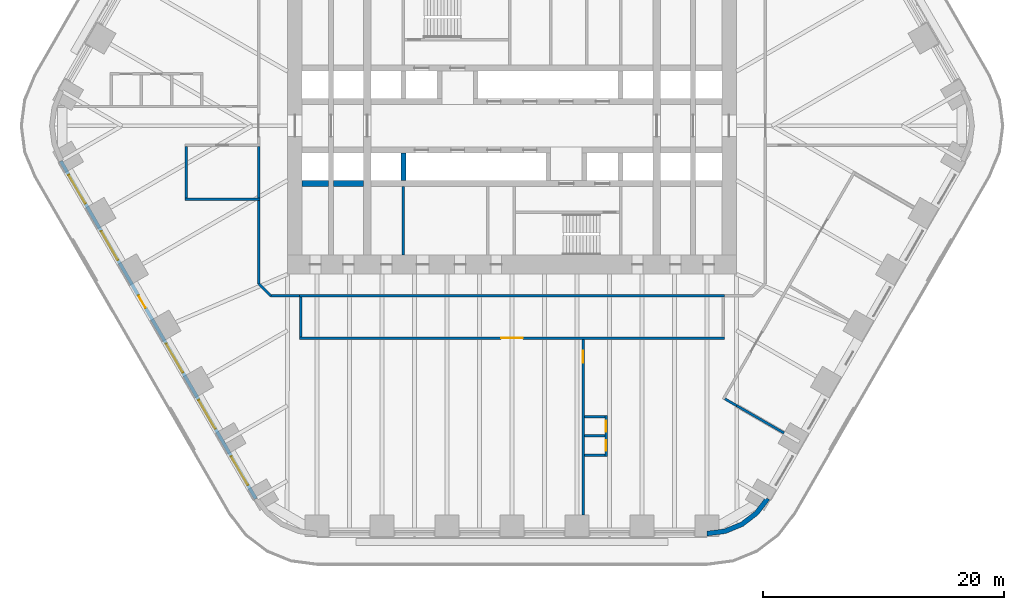
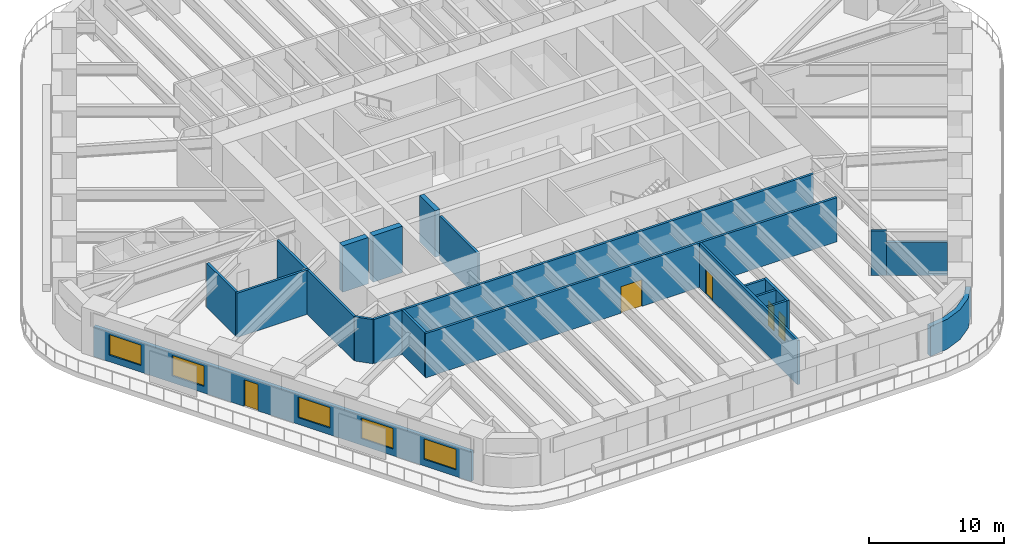
# One storey, part 16 of 23: 22 walls, 5 doors, 5 windows, 10 openings.
"""IFC4 building model written with IfcOpenShell, lengths in metres."""

from ifc_helpers import new_model, si_unit, direction, frame, frame_2d, origin, place, context, subcontext, project, spatial, polyline, rectangle, outline, extrude, material, layer, layer_set, type_object, element, fill, save


model = new_model("IFC4")

# Units and contexts
model_context = context("Model", 3, precision=1e-05, world=origin(), true_north=direction((0.0, 1.0)))
body_context = subcontext(model_context, "Body", "Model", "MODEL_VIEW")
ifc_project = project(units=[si_unit("LENGTHUNIT", "METRE"), si_unit("AREAUNIT", "SQUARE_METRE"), si_unit("VOLUMEUNIT", "CUBIC_METRE"), si_unit("PLANEANGLEUNIT", "RADIAN"), si_unit("MASSUNIT", "GRAM", prefix="KILO")], contexts=[model_context])

# Site, building, storey
site_placement = place(None, origin())
site = spatial("IfcSite", under=ifc_project, at=site_placement, CompositionType="ELEMENT")
building_placement = place(site_placement, origin())
building = spatial("IfcBuilding", under=site, at=building_placement, Name="Tarfa Lantern Tower", CompositionType="ELEMENT")
storey_placement = place(building_placement, frame((0.0, 0.0, 61.300048828125)))
storey = spatial("IfcBuildingStorey", under=building, at=storey_placement, Name="L13", CompositionType="ELEMENT", Elevation=61.300048828125)

# Wall, openings, door, windows
ifc_material_1 = material(Name="Limestone cladding on blockwork", Category="masonry")
ifc_layer_1 = layer(ifc_material_1, 0.300048828125)
ifc_layer_set_1 = layer_set([ifc_layer_1], Name="EW1 STONE-CLAD WALL 300")
wall_type_1 = type_object("IfcWallType", Name="EW1 STONE-CLAD WALL 300", PredefinedType="SOLIDWALL", material=ifc_layer_set_1)
wall_1_placement = place(storey_placement, frame((-37.39794921875, -2.925048828125, 0.0), z_axis=(0.0, 0.0, 1.0), x_axis=(0.499999163675, -0.866025886636, 0.0)))
wall_1 = element("IfcWall", 1, at=wall_1_placement, inside=storey, type_object=wall_type_1, Name="Stone wall SW", PredefinedType="SOLIDWALL", context=body_context, shape_type="SweptSolid", body=[
    extrude(rectangle(XDim=32.33154296875, YDim=0.300048828125, at=frame_2d((16.165771484375, 0.0))), origin(), (0.0, 0.0, 1.0), 2.699951171875),
])
opening_1_placement = place(wall_1_placement, frame((1.3193359375, 0.0, 0.60009765625)))
opening_1 = element("IfcOpeningElement", 2, at=opening_1_placement, cuts=wall_1, Name="Opening W2", PredefinedType="OPENING", context=body_context, shape_type="SweptSolid", body=[
    extrude(rectangle(XDim=2.75, YDim=1.85009765625, at=frame_2d((1.375, 0.925048828125))), frame((0.0, 0.159912109375, 0.0), z_axis=(0.0, -1.0, 0.0), x_axis=(1.0, 0.0, 0.0)), (0.0, 0.0, 1.0), 0.320068359375),
])
opening_2_placement = place(wall_1_placement, frame((6.7080078125, 0.0, 0.60009765625)))
opening_2 = element("IfcOpeningElement", 3, at=opening_2_placement, cuts=wall_1, Name="Opening W2", PredefinedType="OPENING", context=body_context, shape_type="SweptSolid", body=[
    extrude(rectangle(XDim=2.75, YDim=1.85009765625, at=frame_2d((1.375, 0.925048828125))), frame((0.0, 0.159912109375, 0.0), z_axis=(0.0, -1.0, 0.0), x_axis=(1.0, 0.0, 0.0)), (0.0, 0.0, 1.0), 0.320068359375),
])
opening_3_placement = place(wall_1_placement, frame((12.87158203125, 0.0, 0.0)))
opening_3 = element("IfcOpeningElement", 4, at=opening_3_placement, cuts=wall_1, Name="Opening D51", PredefinedType="OPENING", context=body_context, shape_type="SweptSolid", body=[
    extrude(rectangle(XDim=1.199951171875, YDim=2.39990234375, at=frame_2d((0.60009765625, 1.199951171875))), frame((0.0, 0.159912109375, 0.0), z_axis=(0.0, -1.0, 0.0), x_axis=(1.0, 0.0, 0.0)), (0.0, 0.0, 1.0), 0.320068359375),
])
opening_4_placement = place(wall_1_placement, frame((17.485107421875, 0.0, 0.60009765625)))
opening_4 = element("IfcOpeningElement", 5, at=opening_4_placement, cuts=wall_1, Name="Opening W2", PredefinedType="OPENING", context=body_context, shape_type="SweptSolid", body=[
    extrude(rectangle(XDim=2.75, YDim=1.85009765625, at=frame_2d((1.375, 0.925048828125))), frame((0.0, 0.159912109375, 0.0), z_axis=(0.0, -1.0, 0.0), x_axis=(1.0, 0.0, 0.0)), (0.0, 0.0, 1.0), 0.320068359375),
])
opening_5_placement = place(wall_1_placement, frame((22.873779296875, 0.0, 0.60009765625)))
opening_5 = element("IfcOpeningElement", 6, at=opening_5_placement, cuts=wall_1, Name="Opening W2", PredefinedType="OPENING", context=body_context, shape_type="SweptSolid", body=[
    extrude(rectangle(XDim=2.75, YDim=1.85009765625, at=frame_2d((1.375, 0.925048828125))), frame((0.0, 0.159912109375, 0.0), z_axis=(0.0, -1.0, 0.0), x_axis=(1.0, 0.0, 0.0)), (0.0, 0.0, 1.0), 0.320068359375),
])
opening_6_placement = place(wall_1_placement, frame((28.26220703125, 0.0, 0.60009765625)))
opening_6 = element("IfcOpeningElement", 7, at=opening_6_placement, cuts=wall_1, Name="Opening W2", PredefinedType="OPENING", context=body_context, shape_type="SweptSolid", body=[
    extrude(rectangle(XDim=2.75, YDim=1.85009765625, at=frame_2d((1.375, 0.925048828125))), frame((0.0, 0.159912109375, 0.0), z_axis=(0.0, -1.0, 0.0), x_axis=(1.0, 0.0, 0.0)), (0.0, 0.0, 1.0), 0.320068359375),
])
ifc_material_2 = material(Name="Aluminium framed glazed door", Category="aluminium")
door_type_1 = type_object("IfcDoorType", Name="BE3 BALCONY DOOR 1200x2400", OperationType="SINGLE_SWING_RIGHT", PredefinedType="DOOR", material=ifc_material_2)
door_1_placement = place(opening_3_placement, origin())
door_1 = element("IfcDoor", 8, at=door_1_placement, inside=storey, type_object=door_type_1, Name="Balcony door SW", OperationType="SINGLE_SWING_RIGHT", OverallHeight=2.39990234375, OverallWidth=1.199951171875, PredefinedType="DOOR", context=body_context, shape_type="SweptSolid", body=[
    extrude(rectangle(XDim=1.199951171875, YDim=2.39990234375, at=frame_2d((0.60009765625, 1.199951171875))), frame((0.0, 0.02490234375, 0.0), z_axis=(0.0, -1.0, 0.0), x_axis=(1.0, 0.0, 0.0)), (0.0, 0.0, 1.0), 0.050048828125),
])
fill(opening_3, door_1)
ifc_material_3 = material(Name="Aluminium frame, double glazed", Category="aluminium")
window_type = type_object("IfcWindowType", Name="W2 FULL-HEIGHT GLAZING 2750x1850", PartitioningType="SINGLE_PANEL", PredefinedType="WINDOW", material=ifc_material_3)
window_1_placement = place(opening_1_placement, origin())
window_1 = element("IfcWindow", 9, at=window_1_placement, inside=storey, type_object=window_type, Name="Window SW 1", OverallHeight=1.85009765625, OverallWidth=2.75, PartitioningType="SINGLE_PANEL", PredefinedType="WINDOW", context=body_context, shape_type="SweptSolid", body=[
    extrude(rectangle(XDim=2.75, YDim=1.85009765625, at=frame_2d((1.375, 0.925048828125))), frame((0.0, 0.030029296875, 0.0), z_axis=(0.0, -1.0, 0.0), x_axis=(1.0, 0.0, 0.0)), (0.0, 0.0, 1.0), 0.06005859375),
])
fill(opening_1, window_1)
window_2_placement = place(opening_2_placement, origin())
window_2 = element("IfcWindow", 10, at=window_2_placement, inside=storey, type_object=window_type, Name="Window SW 2", OverallHeight=1.85009765625, OverallWidth=2.75, PartitioningType="SINGLE_PANEL", PredefinedType="WINDOW", context=body_context, shape_type="SweptSolid", body=[
    extrude(rectangle(XDim=2.75, YDim=1.85009765625, at=frame_2d((1.375, 0.925048828125))), frame((0.0, 0.030029296875, 0.0), z_axis=(0.0, -1.0, 0.0), x_axis=(1.0, 0.0, 0.0)), (0.0, 0.0, 1.0), 0.06005859375),
])
fill(opening_2, window_2)
window_3_placement = place(opening_4_placement, origin())
window_3 = element("IfcWindow", 11, at=window_3_placement, inside=storey, type_object=window_type, Name="Window SW 4", OverallHeight=1.85009765625, OverallWidth=2.75, PartitioningType="SINGLE_PANEL", PredefinedType="WINDOW", context=body_context, shape_type="SweptSolid", body=[
    extrude(rectangle(XDim=2.75, YDim=1.85009765625, at=frame_2d((1.375, 0.925048828125))), frame((0.0, 0.030029296875, 0.0), z_axis=(0.0, -1.0, 0.0), x_axis=(1.0, 0.0, 0.0)), (0.0, 0.0, 1.0), 0.06005859375),
])
fill(opening_4, window_3)
window_4_placement = place(opening_5_placement, origin())
window_4 = element("IfcWindow", 12, at=window_4_placement, inside=storey, type_object=window_type, Name="Window SW 5", OverallHeight=1.85009765625, OverallWidth=2.75, PartitioningType="SINGLE_PANEL", PredefinedType="WINDOW", context=body_context, shape_type="SweptSolid", body=[
    extrude(rectangle(XDim=2.75, YDim=1.85009765625, at=frame_2d((1.375, 0.925048828125))), frame((0.0, 0.030029296875, 0.0), z_axis=(0.0, -1.0, 0.0), x_axis=(1.0, 0.0, 0.0)), (0.0, 0.0, 1.0), 0.06005859375),
])
fill(opening_5, window_4)
window_5_placement = place(opening_6_placement, origin())
window_5 = element("IfcWindow", 13, at=window_5_placement, inside=storey, type_object=window_type, Name="Window SW 6", OverallHeight=1.85009765625, OverallWidth=2.75, PartitioningType="SINGLE_PANEL", PredefinedType="WINDOW", context=body_context, shape_type="SweptSolid", body=[
    extrude(rectangle(XDim=2.75, YDim=1.85009765625, at=frame_2d((1.375, 0.925048828125))), frame((0.0, 0.030029296875, 0.0), z_axis=(0.0, -1.0, 0.0), x_axis=(1.0, 0.0, 0.0)), (0.0, 0.0, 1.0), 0.06005859375),
])
fill(opening_6, window_5)

# Walls
ifc_layer_2 = layer(ifc_material_1, 0.39990234375)
ifc_layer_set_2 = layer_set([ifc_layer_2], Name="EW2 CURVED STONE CORNER 400")
wall_type_2 = type_object("IfcWallType", Name="EW2 CURVED STONE CORNER 400", PredefinedType="SOLIDWALL", material=ifc_layer_set_2)
wall_2_placement = place(storey_placement, origin())
element("IfcWall", 14, at=wall_2_placement, inside=storey, type_object=wall_type_2, Name="Stone corner S-SE", PredefinedType="SOLIDWALL", context=body_context, shape_type="SweptSolid", body=[
    extrude(outline(polyline([(16.165771484375, -34.0), (17.71875, -33.795654296875), (19.165771484375, -33.196044921875), (20.408447265625, -32.24267578125), (21.362060546875, -31.0), (21.015625, -30.800048828125), (20.12548828125, -31.959716796875), (18.9658203125, -32.849853515625), (17.615234375, -33.4091796875), (16.165771484375, -33.60009765625), (16.165771484375, -34.0)])), origin(), (0.0, 0.0, 1.0), 2.699951171875),
])
ifc_material_4 = material(Name="Concrete blockwork", Category="masonry")
ifc_layer_3 = layer(ifc_material_4, 0.199951171875)
ifc_layer_set_3 = layer_set([ifc_layer_3], Name="IW1 BLOCKWORK PARTITION 200 EI 120")
wall_type_3 = type_object("IfcWallType", Name="IW1 BLOCKWORK PARTITION 200 EI 120", PredefinedType="PARTITIONING", material=ifc_layer_set_3)
wall_3_placement = place(storey_placement, frame((-9.0, -5.050048828125, 0.0), z_axis=(0.0, 0.0, 1.0), x_axis=(0.0, -1.0, 0.0)))
element("IfcWall", 15, at=wall_3_placement, inside=storey, type_object=wall_type_3, Name="Core partition", PredefinedType="PARTITIONING", context=body_context, shape_type="SweptSolid", body=[
    extrude(rectangle(XDim=5.64990234375, YDim=0.199951171875, at=frame_2d((2.824951171875, 0.0))), origin(), (0.0, 0.0, 1.0), 4.0),
])
ifc_material_5 = material(Name="Gypsum board on steel studs", Category="steel")
ifc_layer_4 = layer(ifc_material_5, 0.2099609375)
ifc_layer_set_4 = layer_set([ifc_layer_4], Name="IW2 ACOUSTIC PARTITION 200")
wall_type_4 = type_object("IfcWallType", Name="IW2 ACOUSTIC PARTITION 200", PredefinedType="PARTITIONING", material=ifc_layer_set_4)
wall_4_placement = place(storey_placement, frame((17.60009765625, -14.10009765625, 0.0), z_axis=(0.0, 0.0, 1.0), x_axis=(-1.0, 0.0, 0.0)))
element("IfcWall", 16, at=wall_4_placement, inside=storey, type_object=wall_type_4, Name="Partition", PredefinedType="PARTITIONING", context=body_context, shape_type="SweptSolid", body=[
    extrude(rectangle(XDim=35.2001953125, YDim=0.199951171875, at=frame_2d((17.60009765625, 0.0))), origin(), (0.0, 0.0, 1.0), 4.0),
])

# Wall, opening, door
wall_5_placement = place(storey_placement, frame((17.60009765625, -17.60009765625, 0.0), z_axis=(0.0, 0.0, 1.0), x_axis=(-1.0, 0.0, 0.0)))
wall_5 = element("IfcWall", 17, at=wall_5_placement, inside=storey, type_object=wall_type_4, Name="Partition", PredefinedType="PARTITIONING", context=body_context, shape_type="SweptSolid", body=[
    extrude(rectangle(XDim=35.2001953125, YDim=0.199951171875, at=frame_2d((17.60009765625, 0.0))), origin(), (0.0, 0.0, 1.0), 4.0),
])
opening_7_placement = place(wall_5_placement, frame((16.699951171875, 0.0, 0.0)))
opening_7 = element("IfcOpeningElement", 18, at=opening_7_placement, cuts=wall_5, Name="Opening D38", PredefinedType="OPENING", context=body_context, shape_type="SweptSolid", body=[
    extrude(rectangle(XDim=1.800048828125, YDim=2.39990234375, at=frame_2d((0.89990234375, 1.199951171875))), frame((0.0, 0.10986328125, 0.0), z_axis=(0.0, -1.0, 0.0), x_axis=(1.0, 0.0, 0.0)), (0.0, 0.0, 1.0), 0.219970703125),
])
ifc_material_6 = material(Name="Timber door", Category="wood")
door_type_2 = type_object("IfcDoorType", Name="DR2 ROOM DOOR 1800x2400", OperationType="DOUBLE_DOOR_SINGLE_SWING", PredefinedType="DOOR", material=ifc_material_6)
door_2_placement = place(opening_7_placement, frame((1.800048828125, 0.0, 0.0), z_axis=(0.0, 0.0, 1.0), x_axis=(-1.0, 0.0, 0.0)))
door_2 = element("IfcDoor", 19, at=door_2_placement, inside=storey, type_object=door_type_2, Name="Meeting room door", OperationType="DOUBLE_DOOR_SINGLE_SWING", OverallHeight=2.39990234375, OverallWidth=1.800048828125, PredefinedType="DOOR", context=body_context, shape_type="SweptSolid", body=[
    extrude(rectangle(XDim=1.800048828125, YDim=2.39990234375, at=frame_2d((0.89990234375, 1.199951171875))), frame((0.0, 0.02490234375, 0.0), z_axis=(0.0, -1.0, 0.0), x_axis=(1.0, 0.0, 0.0)), (0.0, 0.0, 1.0), 0.050048828125),
])
fill(opening_7, door_2)

# Walls
wall_6_placement = place(storey_placement, frame((-17.5, -14.199951171875, 0.0), z_axis=(0.0, 0.0, 1.0), x_axis=(0.0, -1.0, 0.0)))
element("IfcWall", 20, at=wall_6_placement, inside=storey, type_object=wall_type_4, Name="Partition", PredefinedType="PARTITIONING", context=body_context, shape_type="SweptSolid", body=[
    extrude(rectangle(XDim=3.300048828125, YDim=0.199951171875, at=frame_2d((1.64990234375, 0.0))), origin(), (0.0, 0.0, 1.0), 4.0),
])
wall_7_placement = place(storey_placement, frame((17.647705078125, -22.63330078125, 0.0), z_axis=(0.0, 0.0, 1.0), x_axis=(0.86603400694, -0.499985098601, 0.0)))
element("IfcWall", 21, at=wall_7_placement, inside=storey, type_object=wall_type_4, Name="Partition", PredefinedType="PARTITIONING", context=body_context, shape_type="SweptSolid", body=[
    extrude(rectangle(XDim=1.12646484375, YDim=0.199951171875, at=frame_2d((0.563232421875, 0.0))), origin(), (0.0, 0.0, 1.0), 4.0),
])
wall_8_placement = place(storey_placement, frame((18.623291015625, -23.196533203125, 0.0), z_axis=(0.0, 0.0, 1.0), x_axis=(0.866029199568, -0.499993425452, 0.0)))
element("IfcWall", 22, at=wall_8_placement, inside=storey, type_object=wall_type_4, Name="Partition", PredefinedType="PARTITIONING", context=body_context, shape_type="SweptSolid", body=[
    extrude(rectangle(XDim=4.5234375, YDim=0.199951171875, at=frame_2d((2.26171875, 0.0))), origin(), (0.0, 0.0, 1.0), 2.991943359375),
])
wall_9_placement = place(storey_placement, frame((-20.89990234375, -6.10009765625, 0.0), z_axis=(0.0, 0.0, 1.0), x_axis=(-1.0, 0.0, 0.0)))
element("IfcWall", 23, at=wall_9_placement, inside=storey, type_object=wall_type_4, Name="Partition", PredefinedType="PARTITIONING", context=body_context, shape_type="SweptSolid", body=[
    extrude(rectangle(XDim=6.2001953125, YDim=0.199951171875, at=frame_2d((3.10009765625, 0.0))), origin(), (0.0, 0.0, 1.0), 4.0),
])
for number, where, z_axis, x_axis, name in (
    (24, (-21.0, -1.699951171875, 0.0), (0.0, 0.0, 1.0), (0.0, -1.0, 0.0), "Partition"),
    (25, (-27.0, -1.699951171875, 0.0), (0.0, 0.0, 1.0), (0.0, -1.0, 0.0), "Partition"),
):
    element("IfcWall", number, at=place(storey_placement, frame(where, z_axis=z_axis, x_axis=x_axis)), inside=storey, type_object=wall_type_4, Name=name, PredefinedType="PARTITIONING", context=body_context, shape_type="SweptSolid", body=[
        extrude(rectangle(XDim=4.300048828125, YDim=0.199951171875, at=frame_2d((2.14990234375, 0.0))), origin(), (0.0, 0.0, 1.0), 4.0),
    ])
wall_10_placement = place(storey_placement, frame((-17.60009765625, -14.10009765625, 0.0), z_axis=(0.0, 0.0, 1.0), x_axis=(-1.0, 0.0, 0.0)))
element("IfcWall", 26, at=wall_10_placement, inside=storey, type_object=wall_type_4, Name="Partition", PredefinedType="PARTITIONING", context=body_context, shape_type="SweptSolid", body=[
    extrude(rectangle(XDim=2.39990234375, YDim=0.199951171875, at=frame_2d((1.199951171875, 0.0))), origin(), (0.0, 0.0, 1.0), 4.0),
])
wall_11_placement = place(storey_placement, frame((-20.0, -14.10009765625, 0.0), z_axis=(0.0, 0.0, 1.0), x_axis=(-0.707106781187, 0.707106781187, 0.0)))
element("IfcWall", 27, at=wall_11_placement, inside=storey, type_object=wall_type_4, Name="Partition", PredefinedType="PARTITIONING", context=body_context, shape_type="SweptSolid", body=[
    extrude(rectangle(XDim=1.414306640625, YDim=0.199951171875, at=frame_2d((0.70703125, 0.0))), origin(), (0.0, 0.0, 1.0), 4.0),
])
wall_12_placement = place(storey_placement, frame((-21.0, -13.10009765625, 0.0), z_axis=(0.0, 0.0, 1.0), x_axis=(0.0, 1.0, 0.0)))
element("IfcWall", 28, at=wall_12_placement, inside=storey, type_object=wall_type_4, Name="Partition", PredefinedType="PARTITIONING", context=body_context, shape_type="SweptSolid", body=[
    extrude(rectangle(XDim=6.899169921875, YDim=0.199951171875, at=frame_2d((3.44970703125, 0.0))), origin(), (0.0, 0.0, 1.0), 4.0),
])

# Wall, opening, door
wall_13_placement = place(storey_placement, frame((5.89990234375, -17.699951171875, 0.0), z_axis=(0.0, 0.0, 1.0), x_axis=(0.0, -1.0, 0.0)))
wall_13 = element("IfcWall", 29, at=wall_13_placement, inside=storey, type_object=wall_type_4, Name="Partition", PredefinedType="PARTITIONING", context=body_context, shape_type="SweptSolid", body=[
    extrude(rectangle(XDim=14.550048828125, YDim=0.199951171875, at=frame_2d((7.27490234375, 0.0))), origin(), (0.0, 0.0, 1.0), 4.0),
])
opening_8_placement = place(wall_13_placement, frame((0.955078125, 0.0, 0.0)))
opening_8 = element("IfcOpeningElement", 30, at=opening_8_placement, cuts=wall_13, Name="Opening D47", PredefinedType="OPENING", context=body_context, shape_type="SweptSolid", body=[
    extrude(rectangle(XDim=1.0, YDim=2.199951171875, at=frame_2d((0.5, 1.10009765625))), frame((0.0, 0.10986328125, 0.0), z_axis=(0.0, -1.0, 0.0), x_axis=(1.0, 0.0, 0.0)), (0.0, 0.0, 1.0), 0.219970703125),
])
door_type_3 = type_object("IfcDoorType", Name="DR1 ROOM DOOR 1000x2200", OperationType="SINGLE_SWING_LEFT", PredefinedType="DOOR", material=ifc_material_6)
door_3_placement = place(opening_8_placement, origin())
door_3 = element("IfcDoor", 31, at=door_3_placement, inside=storey, type_object=door_type_3, Name="Zone door", OperationType="SINGLE_SWING_RIGHT", OverallHeight=2.199951171875, OverallWidth=1.0, PredefinedType="DOOR", context=body_context, shape_type="SweptSolid", body=[
    extrude(rectangle(XDim=1.0, YDim=2.199951171875, at=frame_2d((0.5, 1.10009765625))), frame((0.0, 0.02490234375, 0.0), z_axis=(0.0, -1.0, 0.0), x_axis=(1.0, 0.0, 0.0)), (0.0, 0.0, 1.0), 0.050048828125),
])
fill(opening_8, door_3)

# Wall, openings, doors
wall_14_placement = place(storey_placement, frame((7.800048828125, -24.00244140625, 0.0), z_axis=(0.0, 0.0, 1.0), x_axis=(0.0, -1.0, 0.0)))
wall_14 = element("IfcWall", 32, at=wall_14_placement, inside=storey, type_object=wall_type_4, Name="Partition", PredefinedType="PARTITIONING", context=body_context, shape_type="SweptSolid", body=[
    extrude(rectangle(XDim=3.400146484375, YDim=0.199951171875, at=frame_2d((1.7001953125, 0.0))), origin(), (0.0, 0.0, 1.0), 4.0),
])
opening_9_placement = place(wall_14_placement, frame((0.449951171875, 0.0, 0.0)))
opening_9 = element("IfcOpeningElement", 33, at=opening_9_placement, cuts=wall_14, Name="Opening D42", PredefinedType="OPENING", context=body_context, shape_type="SweptSolid", body=[
    extrude(rectangle(XDim=0.89990234375, YDim=2.199951171875, at=frame_2d((0.449951171875, 1.10009765625))), frame((0.0, 0.10986328125, 0.0), z_axis=(0.0, -1.0, 0.0), x_axis=(1.0, 0.0, 0.0)), (0.0, 0.0, 1.0), 0.219970703125),
])
opening_10_placement = place(wall_14_placement, frame((2.050048828125, 0.0, 0.0)))
opening_10 = element("IfcOpeningElement", 34, at=opening_10_placement, cuts=wall_14, Name="Opening D43", PredefinedType="OPENING", context=body_context, shape_type="SweptSolid", body=[
    extrude(rectangle(XDim=0.89990234375, YDim=2.199951171875, at=frame_2d((0.449951171875, 1.10009765625))), frame((0.0, 0.10986328125, 0.0), z_axis=(0.0, -1.0, 0.0), x_axis=(1.0, 0.0, 0.0)), (0.0, 0.0, 1.0), 0.219970703125),
])
door_type_4 = type_object("IfcDoorType", Name="DR3 ROOM DOOR 900x2200", OperationType="SINGLE_SWING_LEFT", PredefinedType="DOOR", material=ifc_material_6)
door_4_placement = place(opening_9_placement, frame((0.89990234375, 0.0, 0.0), z_axis=(0.0, 0.0, 1.0), x_axis=(-1.0, 0.0, 0.0)))
door_4 = element("IfcDoor", 35, at=door_4_placement, inside=storey, type_object=door_type_4, Name="Phone booth door", OperationType="SINGLE_SWING_LEFT", OverallHeight=2.199951171875, OverallWidth=0.89990234375, PredefinedType="DOOR", context=body_context, shape_type="SweptSolid", body=[
    extrude(rectangle(XDim=0.89990234375, YDim=2.199951171875, at=frame_2d((0.449951171875, 1.10009765625))), frame((0.0, 0.02490234375, 0.0), z_axis=(0.0, -1.0, 0.0), x_axis=(1.0, 0.0, 0.0)), (0.0, 0.0, 1.0), 0.050048828125),
])
fill(opening_9, door_4)
door_5_placement = place(opening_10_placement, frame((0.89990234375, 0.0, 0.0), z_axis=(0.0, 0.0, 1.0), x_axis=(-1.0, 0.0, 0.0)))
door_5 = element("IfcDoor", 36, at=door_5_placement, inside=storey, type_object=door_type_4, Name="Phone booth door", OperationType="SINGLE_SWING_RIGHT", OverallHeight=2.199951171875, OverallWidth=0.89990234375, PredefinedType="DOOR", context=body_context, shape_type="SweptSolid", body=[
    extrude(rectangle(XDim=0.89990234375, YDim=2.199951171875, at=frame_2d((0.449951171875, 1.10009765625))), frame((0.0, 0.02490234375, 0.0), z_axis=(0.0, -1.0, 0.0), x_axis=(1.0, 0.0, 0.0)), (0.0, 0.0, 1.0), 0.050048828125),
])
fill(opening_10, door_5)

# Walls
for number, where, z_axis, x_axis, name in (
    (37, (6.0, -24.1025390625, 0.0), (0.0, 0.0, 1.0), (1.0, 0.0, 0.0), "Partition"),
    (38, (6.0, -25.702392578125, 0.0), (0.0, 0.0, 1.0), (1.0, 0.0, 0.0), "Partition"),
    (39, (6.0, -27.302490234375, 0.0), (0.0, 0.0, 1.0), (1.0, 0.0, 0.0), "Partition"),
):
    element("IfcWall", number, at=place(storey_placement, frame(where, z_axis=z_axis, x_axis=x_axis)), inside=storey, type_object=wall_type_4, Name=name, PredefinedType="PARTITIONING", context=body_context, shape_type="SweptSolid", body=[
        extrude(rectangle(XDim=1.699951171875, YDim=0.199951171875, at=frame_2d((0.85009765625, 0.0))), origin(), (0.0, 0.0, 1.0), 4.0),
    ])
ifc_material_7 = material(Name="Concrete C80/95", Category="concrete")
ifc_layer_5 = layer(ifc_material_7, 0.5)
ifc_layer_set_5 = layer_set([ifc_layer_5], Name="SW5 CORE WALL 500")
wall_type_5 = type_object("IfcWallType", Name="SW5 CORE WALL 500", PredefinedType="SHEAR", material=ifc_layer_set_5)
wall_15_placement = place(storey_placement, frame((-12.300048828125, -4.800048828125, 0.0), z_axis=(0.0, 0.0, 1.0), x_axis=(-1.0, 0.0, 0.0)))
element("IfcWall", 40, at=wall_15_placement, inside=storey, type_object=wall_type_5, Name="Core wall rear S", PredefinedType="SHEAR", context=body_context, shape_type="SweptSolid", body=[
    extrude(rectangle(XDim=2.5, YDim=0.5, at=frame_2d((1.25, 0.0))), origin(), (0.0, 0.0, 1.0), 4.199951171875),
])
wall_16_placement = place(storey_placement, frame((-15.199951171875, -4.800048828125, 0.0), z_axis=(0.0, 0.0, 1.0), x_axis=(-1.0, 0.0, 0.0)))
element("IfcWall", 41, at=wall_16_placement, inside=storey, type_object=wall_type_5, Name="Core wall rear S", PredefinedType="SHEAR", context=body_context, shape_type="SweptSolid", body=[
    extrude(rectangle(XDim=2.199951171875, YDim=0.5, at=frame_2d((1.10009765625, 0.0))), origin(), (0.0, 0.0, 1.0), 4.199951171875),
])
ifc_layer_6 = layer(ifc_material_7, 0.39990234375)
ifc_layer_set_6 = layer_set([ifc_layer_6], Name="SW6 CORE WALL 400")
wall_type_6 = type_object("IfcWallType", Name="SW6 CORE WALL 400", PredefinedType="SHEAR", material=ifc_layer_set_6)
wall_17_placement = place(storey_placement, frame((-9.0, -2.25, 0.0), z_axis=(0.0, 0.0, 1.0), x_axis=(0.0, -1.0, 0.0)))
element("IfcWall", 42, at=wall_17_placement, inside=storey, type_object=wall_type_6, Name="Core wall divider S", PredefinedType="SHEAR", context=body_context, shape_type="SweptSolid", body=[
    extrude(rectangle(XDim=2.300048828125, YDim=0.39990234375, at=frame_2d((1.14990234375, 0.0))), origin(), (0.0, 0.0, 1.0), 4.199951171875),
])

save(model, "model.ifc")
